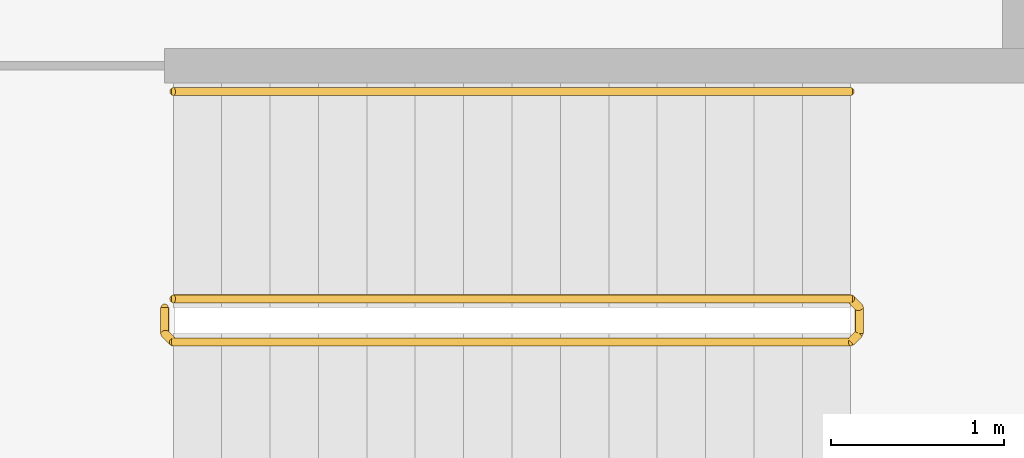
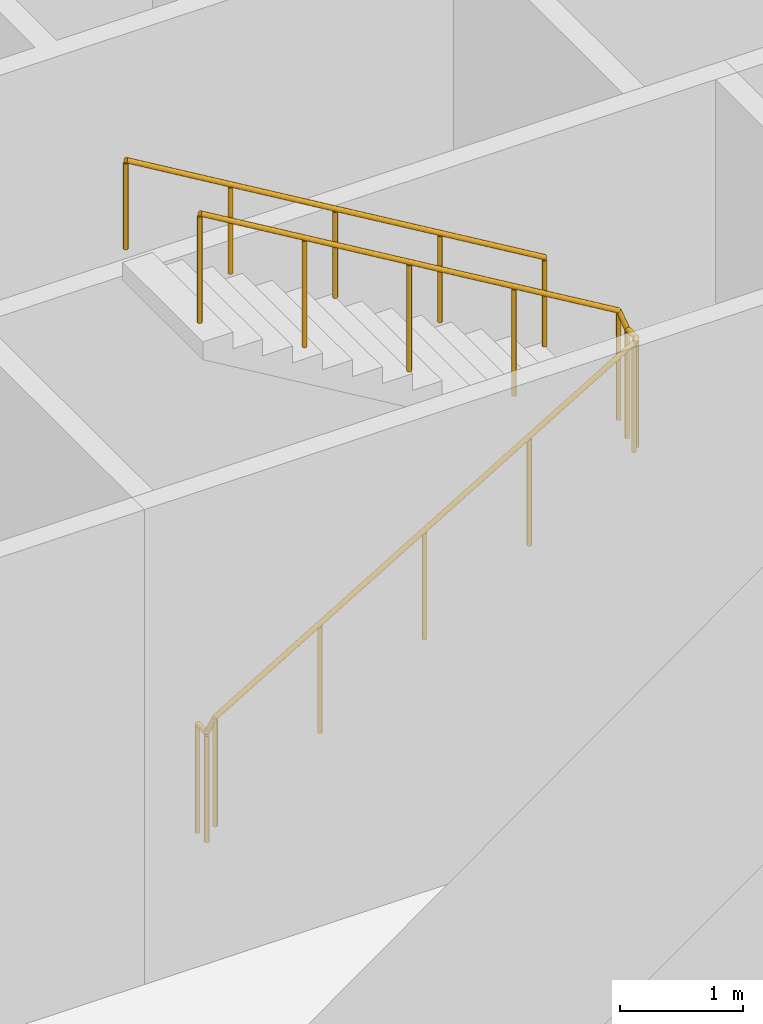
# One storey, part 30 of 35: 2 railings.
"""IFC4 building model written with IfcOpenShell, lengths in metres."""

import ifcopenshell
import ifcopenshell.guid

model = None  # the IFC model being written
_history = None  # IfcOwnerHistory: only IFC2X3 demands one
_inside = {}  # id of a spatial element -> (the spatial element, [elements in it])
_under = {}  # id of a project, library or spatial element -> (it, [spatial elements below it])
_declared = {}  # id of a project -> (the project, [libraries it declares])
_typed = {}  # id of a type object -> (the type object, [elements of that type])
_made_of = {}  # id of a material, layer set ... -> (it, [elements and type objects made of it])


def new_model(schema):
    """Start an empty IFC model of exactly this schema.

    Asked for "IFC4X3", IfcOpenShell would pick the latest addendum, in which some entities
    have other attributes; the version numbers below select the first issue.
    IFC2X3 requires an IfcOwnerHistory on every rooted entity: one is made here for all.
    """
    global model, _history
    if schema == "IFC4X3":
        model = ifcopenshell.file(schema_version=(4, 3, 0, 0))
    else:
        model = ifcopenshell.file(schema=schema)
    _inside.clear()
    _under.clear()
    _declared.clear()
    _typed.clear()
    _made_of.clear()
    _history = None
    if model.schema == "IFC2X3":
        org = make("IfcOrganization", Name="unknown")
        user = make(
            "IfcPersonAndOrganization",
            ThePerson=make("IfcPerson", FamilyName="unknown"),
            TheOrganization=org,
        )
        app = make(
            "IfcApplication",
            ApplicationDeveloper=org,
            Version="unknown",
            ApplicationFullName="unknown",
            ApplicationIdentifier="unknown",
        )
        _history = make(
            "IfcOwnerHistory",
            OwningUser=user,
            OwningApplication=app,
            ChangeAction="ADDED",
            CreationDate=0,
        )
    return model


def make(cls, **values):
    """One entity of the class cls with the attributes given. An attribute that is None is left unset."""
    return model.create_entity(
        cls, **{name: value for name, value in values.items() if value is not None}
    )


def rooted(cls, **values):
    """An entity with a GlobalId (a new one), such as an element, a storey or a relation."""
    return make(cls, GlobalId=ifcopenshell.guid.new(), OwnerHistory=_history, **values)


def si_unit(unit_type, name, prefix=None):
    """IfcSIUnit, for example si_unit("LENGTHUNIT", "METRE", prefix="MILLI")."""
    return make("IfcSIUnit", UnitType=unit_type, Prefix=prefix, Name=name)


def assignment(units):
    """IfcUnitAssignment: the units of a project."""
    return None if units is None else make("IfcUnitAssignment", Units=units)


def point(xyz):
    """IfcCartesianPoint."""
    return None if xyz is None else make("IfcCartesianPoint", Coordinates=xyz)


def direction(xyz):
    """IfcDirection."""
    return None if xyz is None else make("IfcDirection", DirectionRatios=xyz)


def frame(location, z_axis=None, x_axis=None):
    """IfcAxis2Placement3D, a coordinate frame: its origin and axes. An axis left out is left unset."""
    return make(
        "IfcAxis2Placement3D",
        Location=point(location),
        Axis=direction(z_axis),
        RefDirection=direction(x_axis),
    )


def frame_2d(location, x_axis=None):
    """IfcAxis2Placement2D, a coordinate frame in the plane: its origin and x axis."""
    return make(
        "IfcAxis2Placement2D", Location=point(location), RefDirection=direction(x_axis)
    )


def origin():
    """The frame at (0, 0, 0) with its axes left unset."""
    return frame((0.0, 0.0, 0.0))


def origin_2d():
    """The frame at (0, 0) in the plane with its x axis left unset."""
    return frame_2d((0.0, 0.0))


def place(relative_to, where):
    """IfcLocalPlacement: puts the frame where relative to a parent placement (None: the world)."""
    return make(
        "IfcLocalPlacement", PlacementRelTo=relative_to, RelativePlacement=where
    )


def context(
    kind, dimensions, precision=None, world=None, true_north=None, identifier=None
):
    """IfcGeometricRepresentationContext, for example the 3D "Model" context."""
    return make(
        "IfcGeometricRepresentationContext",
        ContextIdentifier=identifier,
        ContextType=kind,
        CoordinateSpaceDimension=dimensions,
        Precision=precision,
        WorldCoordinateSystem=world,
        TrueNorth=true_north,
    )


def subcontext(parent, identifier, kind, view, scale=None):
    """IfcGeometricRepresentationSubContext, for example "Body" below "Model"."""
    return make(
        "IfcGeometricRepresentationSubContext",
        ContextIdentifier=identifier,
        ContextType=kind,
        ParentContext=parent,
        TargetScale=scale,
        TargetView=view,
    )


def project(units=None, contexts=None):
    """IfcProject with its units and contexts."""
    return rooted(
        "IfcProject",
        Name="project",
        RepresentationContexts=contexts,
        UnitsInContext=assignment(units),
    )


def spatial(cls, under=None, at=None, **own):
    """A site, building, storey or space (cls), placed at a placement, below another one or the project."""
    s = rooted(cls, ObjectPlacement=at, **own)
    if under is not None:
        _under.setdefault(under.id(), (under, []))[1].append(s)
    return s


def profile(cls, at=None, kind="AREA", **sizes):
    """A parametric profile (cls). Its sizes go by their IFC names, for example OverallWidth=200.0."""
    return make(cls, ProfileType=kind, Position=at, **sizes)


def circle(**sizes):
    """IfcCircleProfileDef."""
    return profile("IfcCircleProfileDef", **sizes)


def extrude(swept, where, along, depth):
    """IfcExtrudedAreaSolid: the profile swept, set in the frame where, extruded along a direction by depth."""
    return make(
        "IfcExtrudedAreaSolid",
        SweptArea=swept,
        Position=where,
        ExtrudedDirection=direction(along),
        Depth=depth,
    )


def shape(context_of_items, identifier, shape_type, items):
    """IfcShapeRepresentation: the items that make up one representation, for example the "Body"."""
    return make(
        "IfcShapeRepresentation",
        ContextOfItems=context_of_items,
        RepresentationIdentifier=identifier,
        RepresentationType=shape_type,
        Items=items,
    )


def material(Name=None, Category=None):
    """IfcMaterial."""
    return make("IfcMaterial", Name=Name, Category=Category)


def made_of(thing, what):
    """Note that an element or type object is made of a material, layer set ...; save() writes the relation."""
    if what is not None:
        _made_of.setdefault(what.id(), (what, []))[1].append(thing)
    return thing


def type_object(cls, material=None, **own):
    """A type object (cls), such as IfcWallType, which elements share."""
    return made_of(rooted(cls, **own), material)


def element(
    cls,
    number,
    at=None,
    inside=None,
    cuts=None,
    type_object=None,
    material=None,
    context=None,
    identifier="Body",
    shape_type=None,
    held_by="IfcProductDefinitionShape",
    body=None,
    shapes=None,
    **own,
):
    """One element of the class cls, such as IfcWall. Its Tag is "e" and its number.

    at: its placement. inside: the storey or other place that contains it. cuts: it is an
    opening in that element (IfcRelVoidsElement). A single representation is given by context,
    identifier, shape_type and body (its items); several are given by shapes. held_by: the class
    of the entity that holds the representations. save() writes the other relations.
    """
    e = rooted(cls, Tag="e%d" % number, ObjectPlacement=at, **own)
    if body is not None:
        shapes = [shape(context, identifier, shape_type, body)]
    if shapes is not None:
        e.Representation = make(held_by, Representations=shapes)
    if inside is not None:
        _inside.setdefault(inside.id(), (inside, []))[1].append(e)
    if cuts is not None:
        rooted(
            "IfcRelVoidsElement", RelatingBuildingElement=cuts, RelatedOpeningElement=e
        )
    if type_object is not None:
        _typed.setdefault(type_object.id(), (type_object, []))[1].append(e)
    return made_of(e, material)


def aggregate(whole, parts):
    """IfcRelAggregates: a whole, such as a stair, and the parts it consists of."""
    return rooted("IfcRelAggregates", RelatingObject=whole, RelatedObjects=parts)


def save(model, path):
    """Write the relations noted so far, then the file.

    IfcRelAggregates (storeys below a building ...), IfcRelContainedInSpatialStructure (elements
    in a storey), IfcRelDefinesByType, IfcRelAssociatesMaterial and IfcRelDeclares: one each for
    every whole, place, type object, material and project.
    """
    for whole, parts in _under.values():
        aggregate(whole, parts)
    for where, things in _inside.values():
        rooted(
            "IfcRelContainedInSpatialStructure",
            RelatedElements=things,
            RelatingStructure=where,
        )
    for kind, things in _typed.values():
        rooted("IfcRelDefinesByType", RelatedObjects=things, RelatingType=kind)
    for what, things in _made_of.values():
        rooted("IfcRelAssociatesMaterial", RelatedObjects=things, RelatingMaterial=what)
    for by, libraries in _declared.values():
        rooted("IfcRelDeclares", RelatingContext=by, RelatedDefinitions=libraries)
    model.write(path)


model = new_model("IFC4")

# Units and contexts
model_context = context("Model", 3, precision=1e-05, world=origin(), true_north=direction((0.0, 1.0)))
body_context = subcontext(model_context, "Body", "Model", "MODEL_VIEW")
ifc_project = project(units=[si_unit("LENGTHUNIT", "METRE"), si_unit("AREAUNIT", "SQUARE_METRE"), si_unit("VOLUMEUNIT", "CUBIC_METRE"), si_unit("PLANEANGLEUNIT", "RADIAN"), si_unit("MASSUNIT", "GRAM", prefix="KILO")], contexts=[model_context])

# Site, building, storey
site_placement = place(None, origin())
site = spatial("IfcSite", under=ifc_project, at=site_placement, CompositionType="ELEMENT")
building_placement = place(site_placement, origin())
building = spatial("IfcBuilding", under=site, at=building_placement, Name="Corvane Civic Tower", CompositionType="ELEMENT")
storey_placement = place(building_placement, frame((0.0, 0.0, 27.0)))
storey = spatial("IfcBuildingStorey", under=building, at=storey_placement, Name="L05", CompositionType="ELEMENT", Elevation=27.0)

# Railings
ifc_material_1 = material(Name="Steel ASTM A572 Gr 50", Category="steel")
railing_type_1 = type_object("IfcRailingType", Name="ST-GUARD-1100", PredefinedType="GUARDRAIL", material=ifc_material_1)
railing_1_placement = place(storey_placement, frame((-8.949951171875, -8.75, 0.0)))
element("IfcRailing", 1, at=railing_1_placement, inside=storey, type_object=railing_type_1, Name="L05 ST3 stair guard 1", PredefinedType="GUARDRAIL", context=body_context, shape_type="SweptSolid", body=[
    extrude(circle(Radius=0.02392578125, at=origin_2d()), frame((0.0, 0.0, 1.076171875), z_axis=(0.0, -1.0, 0.0), x_axis=(1.0, 0.0, 0.0)), (0.0, 0.0, 1.0), 0.14990234375),
    extrude(circle(Radius=0.02392578125, at=origin_2d()), frame((0.0, -0.14990234375, 1.076171875), z_axis=(0.27628659633, -0.27628659633, 0.920506074601), x_axis=(0.707106781187, 0.707106781187, 0.0)), (0.0, 0.0, 1.0), 0.18115234375),
    extrude(circle(Radius=0.02392578125, at=origin_2d()), frame((0.050048828125, -0.199951171875, 1.24267578125), z_axis=(0.859296244711, 0.0, 0.511478214419), x_axis=(0.0, 1.0, 0.0)), (0.0, 0.0, 1.0), 4.561767578125),
    extrude(circle(Radius=0.02392578125, at=origin_2d()), frame((3.969970703125, -0.199951171875, 3.576171875), z_axis=(0.707106781187, 0.707106781187, 0.0), x_axis=(-0.707106781187, 0.707106781187, 0.0)), (0.0, 0.0, 1.0), 0.07080078125),
    extrude(circle(Radius=0.02392578125, at=origin_2d()), frame((4.02001953125, -0.14990234375, 3.576171875), z_axis=(0.0, 1.0, 0.0), x_axis=(-1.0, 0.0, 0.0)), (0.0, 0.0, 1.0), 0.14990234375),
    extrude(circle(Radius=0.02392578125, at=origin_2d()), frame((4.02001953125, 0.0, 3.576171875), z_axis=(-0.27628659633, 0.27628659633, 0.920506074601), x_axis=(-0.707106781187, -0.707106781187, 0.0)), (0.0, 0.0, 1.0), 0.18115234375),
    extrude(circle(Radius=0.02392578125, at=origin_2d()), frame((3.969970703125, 0.050048828125, 3.74267578125), z_axis=(-0.859296244711, 0.0, 0.511478214419), x_axis=(0.0, -1.0, 0.0)), (0.0, 0.0, 1.0), 4.561767578125),
    extrude(circle(Radius=0.02099609375, at=origin_2d()), origin(), (0.0, 0.0, 1.0), 1.052001953125),
    extrude(circle(Radius=0.02099609375, at=origin_2d()), frame((0.0, -0.14990234375, 0.0)), (0.0, 0.0, 1.0), 1.052001953125),
    extrude(circle(Radius=0.02099609375, at=origin_2d()), frame((0.050048828125, -0.199951171875, 0.166748046875)), (0.0, 0.0, 1.0), 1.052001953125),
    extrude(circle(Radius=0.02099609375, at=origin_2d()), frame((1.030029296875, -0.199951171875, 0.75)), (0.0, 0.0, 1.0), 1.052001953125),
    extrude(circle(Radius=0.02099609375, at=origin_2d()), frame((2.010009765625, -0.199951171875, 1.33349609375)), (0.0, 0.0, 1.0), 1.052001953125),
    extrude(circle(Radius=0.02099609375, at=origin_2d()), frame((2.989990234375, -0.199951171875, 1.916748046875)), (0.0, 0.0, 1.0), 1.052001953125),
    extrude(circle(Radius=0.02099609375, at=origin_2d()), frame((3.969970703125, -0.199951171875, 2.5)), (0.0, 0.0, 1.0), 1.052001953125),
    extrude(circle(Radius=0.02099609375, at=origin_2d()), frame((4.02001953125, -0.14990234375, 2.5)), (0.0, 0.0, 1.0), 1.052001953125),
    extrude(circle(Radius=0.02099609375, at=origin_2d()), frame((4.02001953125, 0.0, 2.5)), (0.0, 0.0, 1.0), 1.052001953125),
    extrude(circle(Radius=0.02099609375, at=origin_2d()), frame((3.969970703125, 0.050048828125, 2.666748046875)), (0.0, 0.0, 1.0), 1.052001953125),
    extrude(circle(Radius=0.02099609375, at=origin_2d()), frame((2.989990234375, 0.050048828125, 3.25)), (0.0, 0.0, 1.0), 1.052001953125),
    extrude(circle(Radius=0.02099609375, at=origin_2d()), frame((2.010009765625, 0.050048828125, 3.83349609375)), (0.0, 0.0, 1.0), 1.052001953125),
    extrude(circle(Radius=0.02099609375, at=origin_2d()), frame((1.030029296875, 0.050048828125, 4.416748046875)), (0.0, 0.0, 1.0), 1.052001953125),
    extrude(circle(Radius=0.02099609375, at=origin_2d()), frame((0.050048828125, 0.050048828125, 5.0)), (0.0, 0.0, 1.0), 1.052001953125),
])
ifc_material_2 = material(Name="Steel ASTM A572 Gr 50", Category="steel")
railing_type_2 = type_object("IfcRailingType", Name="ST-HANDRAIL-900", PredefinedType="HANDRAIL", material=ifc_material_2)
railing_2_placement = place(storey_placement, frame((-4.97998046875, -7.5, 2.666748046875)))
element("IfcRailing", 2, at=railing_2_placement, inside=storey, type_object=railing_type_2, Name="L05 ST3 stair handrail 2", PredefinedType="HANDRAIL", context=body_context, shape_type="SweptSolid", body=[
    extrude(circle(Radius=0.02392578125, at=origin_2d()), frame((0.0, 0.0, 0.8759765625), z_axis=(-0.859296244711, 0.0, 0.511478214419), x_axis=(0.0, -1.0, 0.0)), (0.0, 0.0, 1.0), 4.561767578125),
    extrude(circle(Radius=0.02099609375, at=origin_2d()), origin(), (0.0, 0.0, 1.0), 0.851806640625),
    extrude(circle(Radius=0.02099609375, at=origin_2d()), frame((-0.97998046875, 0.0, 0.583251953125)), (0.0, 0.0, 1.0), 0.851806640625),
    extrude(circle(Radius=0.02099609375, at=origin_2d()), frame((-1.9599609375, 0.0, 1.16650390625)), (0.0, 0.0, 1.0), 0.851806640625),
    extrude(circle(Radius=0.02099609375, at=origin_2d()), frame((-2.93994140625, 0.0, 1.75)), (0.0, 0.0, 1.0), 0.851806640625),
    extrude(circle(Radius=0.02099609375, at=origin_2d()), frame((-3.919921875, 0.0, 2.333251953125)), (0.0, 0.0, 1.0), 0.851806640625),
])

save(model, "model.ifc")
